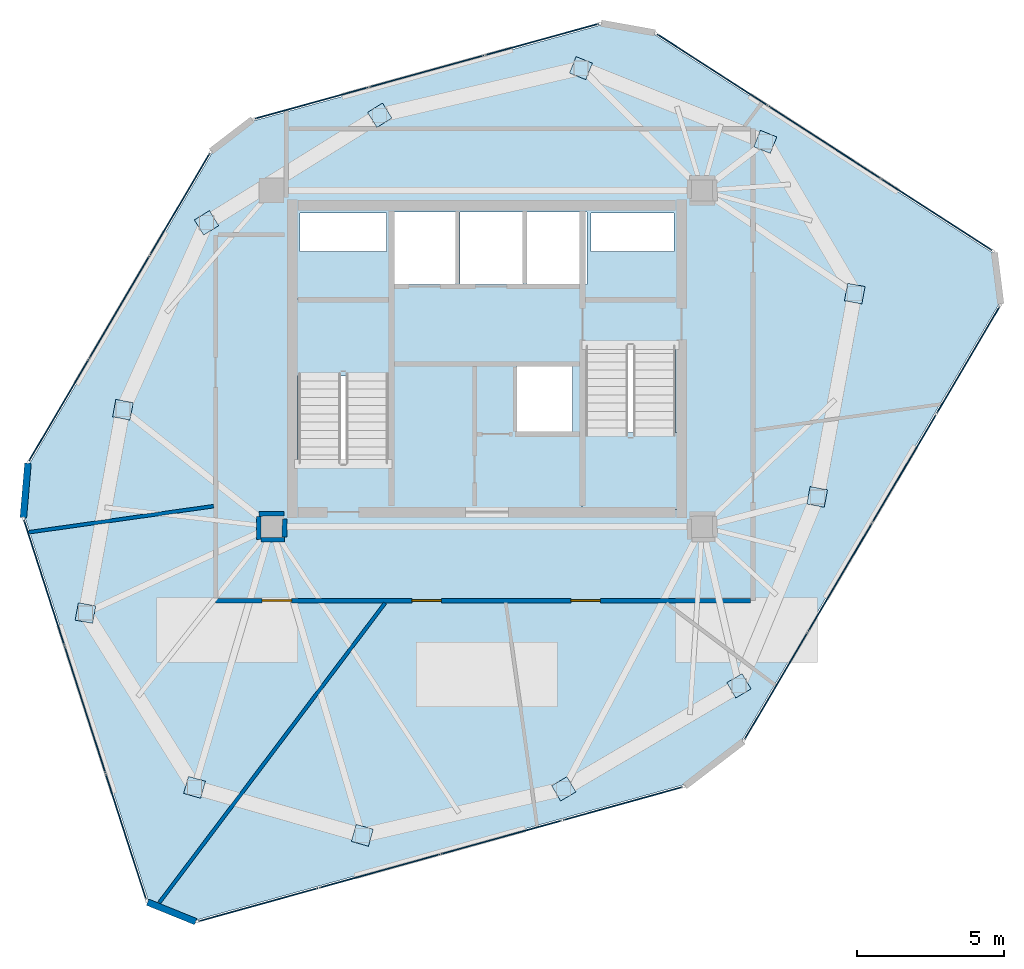
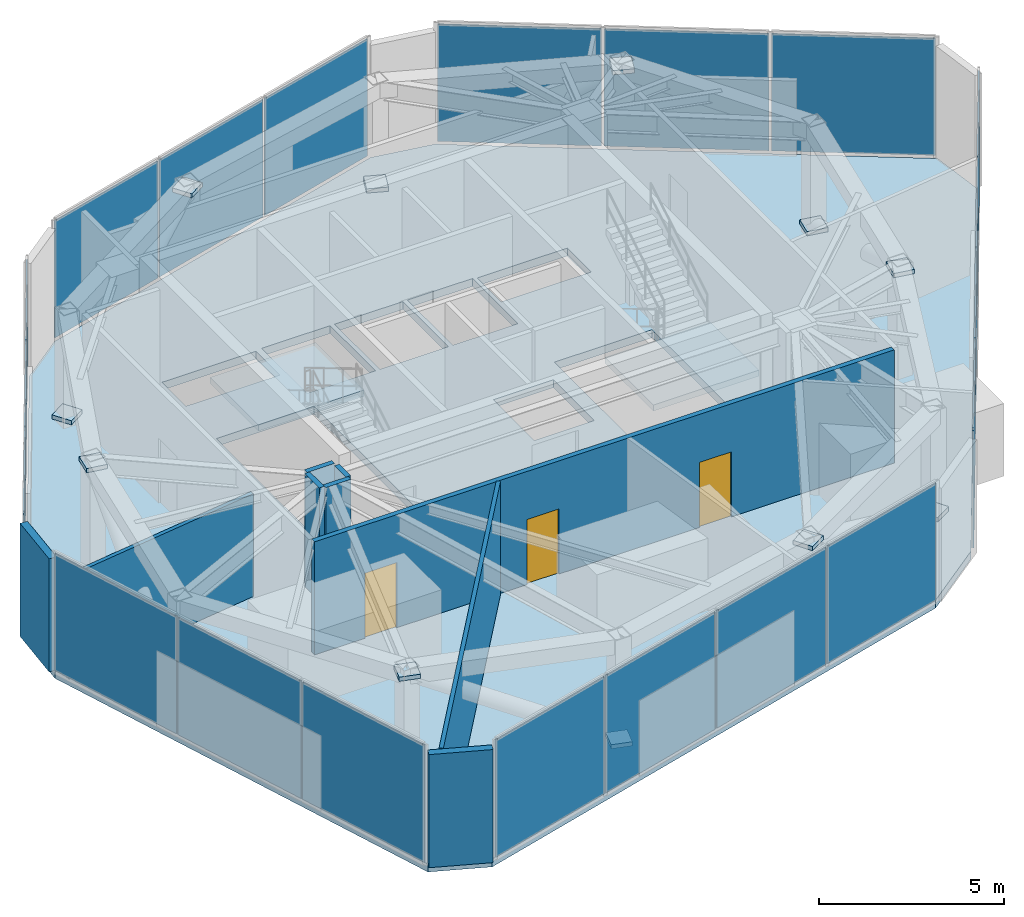
# One storey, part 15 of 19: 32 plates, 9 walls, 3 doors, 3 slabs, 3 openings, 8 elements without a shape of their own.
"""IFC4 building model written with IfcOpenShell, lengths in metres."""

import ifcopenshell
import ifcopenshell.guid

model = None  # the IFC model being written
_history = None  # IfcOwnerHistory: only IFC2X3 demands one
_inside = {}  # id of a spatial element -> (the spatial element, [elements in it])
_under = {}  # id of a project, library or spatial element -> (it, [spatial elements below it])
_declared = {}  # id of a project -> (the project, [libraries it declares])
_typed = {}  # id of a type object -> (the type object, [elements of that type])
_made_of = {}  # id of a material, layer set ... -> (it, [elements and type objects made of it])


def new_model(schema):
    """Start an empty IFC model of exactly this schema.

    Asked for "IFC4X3", IfcOpenShell would pick the latest addendum, in which some entities
    have other attributes; the version numbers below select the first issue.
    IFC2X3 requires an IfcOwnerHistory on every rooted entity: one is made here for all.
    """
    global model, _history
    if schema == "IFC4X3":
        model = ifcopenshell.file(schema_version=(4, 3, 0, 0))
    else:
        model = ifcopenshell.file(schema=schema)
    _inside.clear()
    _under.clear()
    _declared.clear()
    _typed.clear()
    _made_of.clear()
    _history = None
    if model.schema == "IFC2X3":
        org = make("IfcOrganization", Name="unknown")
        user = make(
            "IfcPersonAndOrganization",
            ThePerson=make("IfcPerson", FamilyName="unknown"),
            TheOrganization=org,
        )
        app = make(
            "IfcApplication",
            ApplicationDeveloper=org,
            Version="unknown",
            ApplicationFullName="unknown",
            ApplicationIdentifier="unknown",
        )
        _history = make(
            "IfcOwnerHistory",
            OwningUser=user,
            OwningApplication=app,
            ChangeAction="ADDED",
            CreationDate=0,
        )
    return model


def make(cls, **values):
    """One entity of the class cls with the attributes given. An attribute that is None is left unset."""
    return model.create_entity(
        cls, **{name: value for name, value in values.items() if value is not None}
    )


def rooted(cls, **values):
    """An entity with a GlobalId (a new one), such as an element, a storey or a relation."""
    return make(cls, GlobalId=ifcopenshell.guid.new(), OwnerHistory=_history, **values)


def si_unit(unit_type, name, prefix=None):
    """IfcSIUnit, for example si_unit("LENGTHUNIT", "METRE", prefix="MILLI")."""
    return make("IfcSIUnit", UnitType=unit_type, Prefix=prefix, Name=name)


def assignment(units):
    """IfcUnitAssignment: the units of a project."""
    return None if units is None else make("IfcUnitAssignment", Units=units)


def point(xyz):
    """IfcCartesianPoint."""
    return None if xyz is None else make("IfcCartesianPoint", Coordinates=xyz)


def direction(xyz):
    """IfcDirection."""
    return None if xyz is None else make("IfcDirection", DirectionRatios=xyz)


def frame(location, z_axis=None, x_axis=None):
    """IfcAxis2Placement3D, a coordinate frame: its origin and axes. An axis left out is left unset."""
    return make(
        "IfcAxis2Placement3D",
        Location=point(location),
        Axis=direction(z_axis),
        RefDirection=direction(x_axis),
    )


def frame_2d(location, x_axis=None):
    """IfcAxis2Placement2D, a coordinate frame in the plane: its origin and x axis."""
    return make(
        "IfcAxis2Placement2D", Location=point(location), RefDirection=direction(x_axis)
    )


def origin():
    """The frame at (0, 0, 0) with its axes left unset."""
    return frame((0.0, 0.0, 0.0))


def origin_2d():
    """The frame at (0, 0) in the plane with its x axis left unset."""
    return frame_2d((0.0, 0.0))


def place(relative_to, where):
    """IfcLocalPlacement: puts the frame where relative to a parent placement (None: the world)."""
    return make(
        "IfcLocalPlacement", PlacementRelTo=relative_to, RelativePlacement=where
    )


def context(
    kind, dimensions, precision=None, world=None, true_north=None, identifier=None
):
    """IfcGeometricRepresentationContext, for example the 3D "Model" context."""
    return make(
        "IfcGeometricRepresentationContext",
        ContextIdentifier=identifier,
        ContextType=kind,
        CoordinateSpaceDimension=dimensions,
        Precision=precision,
        WorldCoordinateSystem=world,
        TrueNorth=true_north,
    )


def subcontext(parent, identifier, kind, view, scale=None):
    """IfcGeometricRepresentationSubContext, for example "Body" below "Model"."""
    return make(
        "IfcGeometricRepresentationSubContext",
        ContextIdentifier=identifier,
        ContextType=kind,
        ParentContext=parent,
        TargetScale=scale,
        TargetView=view,
    )


def project(units=None, contexts=None):
    """IfcProject with its units and contexts."""
    return rooted(
        "IfcProject",
        Name="project",
        RepresentationContexts=contexts,
        UnitsInContext=assignment(units),
    )


def spatial(cls, under=None, at=None, **own):
    """A site, building, storey or space (cls), placed at a placement, below another one or the project."""
    s = rooted(cls, ObjectPlacement=at, **own)
    if under is not None:
        _under.setdefault(under.id(), (under, []))[1].append(s)
    return s


def polyline(points):
    """IfcPolyline through the points."""
    return make("IfcPolyline", Points=[point(p) for p in points])


def profile(cls, at=None, kind="AREA", **sizes):
    """A parametric profile (cls). Its sizes go by their IFC names, for example OverallWidth=200.0."""
    return make(cls, ProfileType=kind, Position=at, **sizes)


def rectangle(**sizes):
    """IfcRectangleProfileDef."""
    return profile("IfcRectangleProfileDef", **sizes)


def outline(outer, holes=None, kind="AREA"):
    """IfcArbitraryClosedProfileDef: a profile drawn as a closed curve; with holes, ...WithVoids."""
    if holes is None:
        return make("IfcArbitraryClosedProfileDef", ProfileType=kind, OuterCurve=outer)
    return make(
        "IfcArbitraryProfileDefWithVoids",
        ProfileType=kind,
        OuterCurve=outer,
        InnerCurves=holes,
    )


def extrude(swept, where, along, depth):
    """IfcExtrudedAreaSolid: the profile swept, set in the frame where, extruded along a direction by depth."""
    return make(
        "IfcExtrudedAreaSolid",
        SweptArea=swept,
        Position=where,
        ExtrudedDirection=direction(along),
        Depth=depth,
    )


def shape(context_of_items, identifier, shape_type, items):
    """IfcShapeRepresentation: the items that make up one representation, for example the "Body"."""
    return make(
        "IfcShapeRepresentation",
        ContextOfItems=context_of_items,
        RepresentationIdentifier=identifier,
        RepresentationType=shape_type,
        Items=items,
    )


def source(mapping_origin, context_of_items, identifier, shape_type, items):
    """IfcRepresentationMap: a shape defined once, which mapped items show again and again."""
    return make(
        "IfcRepresentationMap",
        MappingOrigin=mapping_origin,
        MappedRepresentation=shape(context_of_items, identifier, shape_type, items),
    )


def transform(
    local_origin,
    x_axis=None,
    y_axis=None,
    z_axis=None,
    scale=None,
    scale2=None,
    scale3=None,
    uniform=True,
):
    """IfcCartesianTransformationOperator3D, or its non-uniform kind. x_axis, y_axis, z_axis: its Axis1, 2, 3."""
    if uniform:
        return make(
            "IfcCartesianTransformationOperator3D",
            Axis1=direction(x_axis),
            Axis2=direction(y_axis),
            LocalOrigin=point(local_origin),
            Scale=scale,
            Axis3=direction(z_axis),
        )
    return make(
        "IfcCartesianTransformationOperator3DnonUniform",
        Axis1=direction(x_axis),
        Axis2=direction(y_axis),
        LocalOrigin=point(local_origin),
        Scale=scale,
        Axis3=direction(z_axis),
        Scale2=scale2,
        Scale3=scale3,
    )


def mapped(mapping_source, mapping_target):
    """IfcMappedItem: shows the shape of a source again, moved by a transform."""
    return make(
        "IfcMappedItem", MappingSource=mapping_source, MappingTarget=mapping_target
    )


def material(Name=None, Category=None):
    """IfcMaterial."""
    return make("IfcMaterial", Name=Name, Category=Category)


def layer(
    of_material, thickness, ventilated=None, Name=None, Category=None, Priority=None
):
    """IfcMaterialLayer: one layer of a wall or slab, of a material (None: an air gap)."""
    return make(
        "IfcMaterialLayer",
        Material=of_material,
        LayerThickness=thickness,
        IsVentilated=ventilated,
        Name=Name,
        Category=Category,
        Priority=Priority,
    )


def layer_set(layers, Name=None):
    """IfcMaterialLayerSet."""
    return make("IfcMaterialLayerSet", MaterialLayers=layers, LayerSetName=Name)


def made_of(thing, what):
    """Note that an element or type object is made of a material, layer set ...; save() writes the relation."""
    if what is not None:
        _made_of.setdefault(what.id(), (what, []))[1].append(thing)
    return thing


def type_object(cls, material=None, **own):
    """A type object (cls), such as IfcWallType, which elements share."""
    return made_of(rooted(cls, **own), material)


def type_shapes(of_type, sources):
    """Give a type object the sources (RepresentationMaps) that its elements show as mapped items."""
    of_type.RepresentationMaps = sources


def element(
    cls,
    number,
    at=None,
    inside=None,
    cuts=None,
    type_object=None,
    material=None,
    context=None,
    identifier="Body",
    shape_type=None,
    held_by="IfcProductDefinitionShape",
    body=None,
    shapes=None,
    **own,
):
    """One element of the class cls, such as IfcWall. Its Tag is "e" and its number.

    at: its placement. inside: the storey or other place that contains it. cuts: it is an
    opening in that element (IfcRelVoidsElement). A single representation is given by context,
    identifier, shape_type and body (its items); several are given by shapes. held_by: the class
    of the entity that holds the representations. save() writes the other relations.
    """
    e = rooted(cls, Tag="e%d" % number, ObjectPlacement=at, **own)
    if body is not None:
        shapes = [shape(context, identifier, shape_type, body)]
    if shapes is not None:
        e.Representation = make(held_by, Representations=shapes)
    if inside is not None:
        _inside.setdefault(inside.id(), (inside, []))[1].append(e)
    if cuts is not None:
        rooted(
            "IfcRelVoidsElement", RelatingBuildingElement=cuts, RelatedOpeningElement=e
        )
    if type_object is not None:
        _typed.setdefault(type_object.id(), (type_object, []))[1].append(e)
    return made_of(e, material)


def fill(opening, filler):
    """IfcRelFillsElement: the door or window that sits in an opening."""
    return rooted(
        "IfcRelFillsElement",
        RelatingOpeningElement=opening,
        RelatedBuildingElement=filler,
    )


def aggregate(whole, parts):
    """IfcRelAggregates: a whole, such as a stair, and the parts it consists of."""
    return rooted("IfcRelAggregates", RelatingObject=whole, RelatedObjects=parts)


def save(model, path):
    """Write the relations noted so far, then the file.

    IfcRelAggregates (storeys below a building ...), IfcRelContainedInSpatialStructure (elements
    in a storey), IfcRelDefinesByType, IfcRelAssociatesMaterial and IfcRelDeclares: one each for
    every whole, place, type object, material and project.
    """
    for whole, parts in _under.values():
        aggregate(whole, parts)
    for where, things in _inside.values():
        rooted(
            "IfcRelContainedInSpatialStructure",
            RelatedElements=things,
            RelatingStructure=where,
        )
    for kind, things in _typed.values():
        rooted("IfcRelDefinesByType", RelatedObjects=things, RelatingType=kind)
    for what, things in _made_of.values():
        rooted("IfcRelAssociatesMaterial", RelatedObjects=things, RelatingMaterial=what)
    for by, libraries in _declared.values():
        rooted("IfcRelDeclares", RelatingContext=by, RelatedDefinitions=libraries)
    model.write(path)


model = new_model("IFC4")

# Units and contexts
model_context = context("Model", 3, precision=1e-05, world=origin(), true_north=direction((0.0, 1.0)))
body_context = subcontext(model_context, "Body", "Model", "MODEL_VIEW")
ifc_project = project(units=[si_unit("LENGTHUNIT", "METRE"), si_unit("AREAUNIT", "SQUARE_METRE"), si_unit("VOLUMEUNIT", "CUBIC_METRE"), si_unit("PLANEANGLEUNIT", "RADIAN"), si_unit("MASSUNIT", "GRAM", prefix="KILO")], contexts=[model_context])

# Site, building, storey
site_placement = place(None, origin())
site = spatial("IfcSite", under=ifc_project, at=site_placement, CompositionType="ELEMENT")
building_placement = place(site_placement, origin())
building = spatial("IfcBuilding", under=site, at=building_placement, Name="Talar Marvaseh", CompositionType="ELEMENT")
storey_placement = place(building_placement, frame((0.0, 0.0, 296.0)))
storey = spatial("IfcBuildingStorey", under=building, at=storey_placement, Name="L79", CompositionType="ELEMENT", Elevation=296.0)

# Stair, slab
ifc_material_1 = material(Name="Concrete C40/50", Category="concrete")
stair_type = type_object("IfcStairType", Name="Reinforced Concrete High-Rise Exit Stair Type C", PredefinedType="HALF_TURN_STAIR", material=ifc_material_1)
stair_1_placement = place(storey_placement, origin())
stair_1 = element("IfcStair", 1, at=stair_1_placement, inside=storey, type_object=stair_type, Name="L79 Tower West Core Exit Stair", PredefinedType="HALF_TURN_STAIR")
ifc_layer_1 = layer(ifc_material_1, 0.199951171875)
ifc_layer_set_1 = layer_set([ifc_layer_1], Name="Concrete C40/50")
slab_type_1 = type_object("IfcSlabType", Name="Reinforced Concrete Stair Half-Landing Slab 200", PredefinedType="LANDING", material=ifc_layer_set_1)
slab_1_placement = place(storey_placement, frame((0.0, 0.0, 1.800048828125)))
slab_1 = element("IfcSlab", 2, at=slab_1_placement, type_object=slab_type_1, Name="ST-1 landing 1", PredefinedType="LANDING", context=body_context, shape_type="SweptSolid", body=[
    extrude(outline(polyline([(22.780029296875, 30.610107421875), (22.780029296875, 33.219970703125), (19.47998046875, 33.219970703125), (19.47998046875, 30.610107421875), (22.780029296875, 30.610107421875)])), origin(), (0.0, 0.0, 1.0), 0.199951171875),
])
aggregate(stair_1, [slab_1])

stair_2_placement = place(storey_placement, origin())
stair_2 = element("IfcStair", 3, at=stair_2_placement, inside=storey, type_object=stair_type, Name="L79 Tower East Core Exit Stair", PredefinedType="HALF_TURN_STAIR")
slab_2_placement = place(storey_placement, frame((0.0, 0.0, 1.800048828125)))
slab_2 = element("IfcSlab", 4, at=slab_2_placement, type_object=slab_type_1, Name="ST-2 landing 1", PredefinedType="LANDING", context=body_context, shape_type="SweptSolid", body=[
    extrude(outline(polyline([(29.219970703125, 28.68994140625), (29.219970703125, 26.080078125), (32.52001953125, 26.080078125), (32.52001953125, 28.68994140625), (29.219970703125, 28.68994140625)])), origin(), (0.0, 0.0, 1.0), 0.199951171875),
])
aggregate(stair_2, [slab_2])

# Slab
ifc_layer_2 = layer(ifc_material_1, 0.260009765625)
ifc_layer_set_2 = layer_set([ifc_layer_2], Name="Concrete C40/50")
slab_type_2 = type_object("IfcSlabType", Name="Structural Suspended Floor Slab 260", PredefinedType="FLOOR", material=ifc_layer_set_2)
slab_3_placement = place(storey_placement, frame((0.0, 0.0, -0.260009765625)))
element("IfcSlab", 5, at=slab_3_placement, inside=storey, type_object=slab_type_2, Name="L79 Tower Floor Slab", PredefinedType="FLOOR", context=body_context, shape_type="SweptSolid", body=[
    extrude(outline(polyline([(16.149169921875, 12.16796875), (14.52001953125, 12.82861328125), (10.34130859375, 25.807373046875), (10.499267578125, 27.656982421875), (16.681640625, 38.181396484375), (18.09423828125, 39.265380859375), (29.860107421875, 42.51318359375), (31.687744140625, 42.18701171875), (43.142578125, 34.79150390625), (43.359130859375, 33.047119140625), (34.655029296875, 18.275634765625), (32.669921875, 16.75244140625), (16.149169921875, 12.16796875)]), holes=[polyline([(22.659912109375, 27.64990234375), (22.659912109375, 33.10009765625), (19.60009765625, 33.10009765625), (19.60009765625, 27.64990234375), (22.659912109375, 27.64990234375)]), polyline([(29.340087890625, 31.64990234375), (29.340087890625, 26.199951171875), (32.39990234375, 26.199951171875), (32.39990234375, 31.64990234375), (29.340087890625, 31.64990234375)]), polyline([(22.800048828125, 33.719970703125), (24.93994140625, 33.719970703125), (24.93994140625, 36.179931640625), (22.800048828125, 36.179931640625), (22.800048828125, 33.719970703125)]), polyline([(25.080078125, 33.719970703125), (27.219970703125, 33.719970703125), (27.219970703125, 36.179931640625), (25.080078125, 36.179931640625), (25.080078125, 33.719970703125)]), polyline([(27.360107421875, 33.719970703125), (29.39990234375, 33.719970703125), (29.39990234375, 36.179931640625), (27.360107421875, 36.179931640625), (27.360107421875, 33.719970703125)]), polyline([(27.02001953125, 28.719970703125), (28.89990234375, 28.719970703125), (28.89990234375, 30.93994140625), (27.02001953125, 30.93994140625), (27.02001953125, 28.719970703125)]), polyline([(19.659912109375, 34.840087890625), (22.60009765625, 34.840087890625), (22.60009765625, 36.139892578125), (19.659912109375, 36.139892578125), (19.659912109375, 34.840087890625)]), polyline([(29.52001953125, 34.840087890625), (32.340087890625, 34.840087890625), (32.340087890625, 36.139892578125), (29.52001953125, 36.139892578125), (29.52001953125, 34.840087890625)])]), origin(), (0.0, 0.0, 1.0), 0.260009765625),
])

# Plates
ifc_material_2 = material(Name="Steel S460", Category="steel")
ifc_layer_3 = layer(ifc_material_2, 0.030029296875)
ifc_layer_set_3 = layer_set([ifc_layer_3], Name="Steel S460")
plate_type_1 = type_object("IfcPlateType", Name="Heavy Box End Closure Cap Plate 30", PredefinedType="USERDEFINED", material=ifc_layer_set_3)
shared_shape_1 = source(origin(), body_context, "Body", "SweptSolid", [
    extrude(rectangle(XDim=0.60009765625, YDim=0.60009765625, at=origin_2d()), origin(), (0.0, 0.0, 1.0), 0.139892578125),
])
type_shapes(plate_type_1, [shared_shape_1])
for number, where, z_axis, x_axis, name in (
    (6, (12.388916015625, 22.576904296875, 0.18017578125), (0.0, 0.0, 1.0), (0.180519145251, 0.983571470813, 0.0), "L79 Hollow Member End Cap Plate"),
    (7, (13.657958984375, 29.469970703125, 3.419921875), (0.0, 0.0, 1.0), (0.180519145251, 0.983571470813, 0.0), "L79 Hollow Member End Cap Plate"),
    (8, (16.493896484375, 35.806884765625, 0.18017578125), (0.0, 0.0, 1.0), (0.849892692987, 0.526955795497, 0.0), "L79 Hollow Member End Cap Plate"),
    (9, (22.364990234375, 39.4541015625, 3.419921875), (0.0, 0.0, 1.0), (0.849892692987, 0.526955795497, 0.0), "L79 Hollow Member End Cap Plate"),
    (10, (29.18798828125, 41.052001953125, 0.18017578125), (0.0, 0.0, 1.0), (0.928485826881, -0.37136783555, 0.0), "L79 Hollow Member End Cap Plate"),
    (11, (35.43798828125, 38.551025390625, 3.419921875), (0.0, 0.0, 1.0), (0.928485826881, -0.37136783555, 0.0), "L79 Hollow Member End Cap Plate"),
    (12, (38.470947265625, 33.406005859375, 0.18017578125), (0.0, 0.0, 1.0), (-0.182235525492, -0.983254907564, 0.0), "L79 Hollow Member End Cap Plate"),
    (13, (37.197021484375, 26.513916015625, 3.419921875), (0.0, 0.0, 1.0), (-0.182235525492, -0.983254907564, 0.0), "L79 Hollow Member End Cap Plate"),
    (14, (34.5439453125, 20.111083984375, 0.18017578125), (0.0, 0.0, 1.0), (-0.861629160442, -0.507538362961, 0.0), "L79 Hollow Member End Cap Plate"),
    (15, (28.60498046875, 16.616943359375, 3.419921875), (0.0, 0.0, 1.0), (-0.861629160442, -0.507538362961, 0.0), "L79 Hollow Member End Cap Plate"),
    (16, (21.77587890625, 15.0400390625, 0.18017578125), (0.0, 0.0, 1.0), (-0.961261695938, 0.275637355817, 0.0), "L79 Hollow Member End Cap Plate"),
    (17, (16.0869140625, 16.66796875, 3.419921875), (0.0, 0.0, 1.0), (-0.961261695938, 0.275637355817, 0.0), "L79 Hollow Member End Cap Plate"),
):
    element("IfcPlate", number, at=place(storey_placement, frame(where, z_axis=z_axis, x_axis=x_axis)), inside=storey, type_object=plate_type_1, Name=name, ObjectType="CAP_PLATE", PredefinedType="USERDEFINED", context=body_context, shape_type="MappedRepresentation", body=[
        mapped(shared_shape_1, transform((0.0, 0.0, 0.0), x_axis=(1.0, 0.0, 0.0), y_axis=(0.0, 1.0, 0.0), z_axis=(0.0, 0.0, 1.0), scale=1.0)),
    ])

# Curtain wall, plates
ifc_material_3 = material(Name="Architectural Aluminium", Category="aluminium")
ifc_layer_4 = layer(ifc_material_3, 0.2099609375)
ifc_layer_set_4 = layer_set([ifc_layer_4], Name="Architectural Aluminium")
curtain_wall_type = type_object("IfcCurtainWallType", Name="Crown Plant Acoustic Spandrel Curtain Wall", PredefinedType="NOTDEFINED", material=ifc_layer_set_4)
curtain_wall_1_placement = place(storey_placement, origin())
curtain_wall_1 = element("IfcCurtainWall", 18, at=curtain_wall_1_placement, inside=storey, type_object=curtain_wall_type, Name="L79 Crown Plant Acoustic Spandrel Curtain Wall", PredefinedType="NOTDEFINED")
ifc_material_4 = material(Name="Spandrel Insulated Glass", Category="glass")
ifc_layer_5 = layer(ifc_material_4, 0.035888671875)
ifc_layer_set_5 = layer_set([ifc_layer_5], Name="Spandrel Insulated Glass")
plate_type_2 = type_object("IfcPlateType", Name="Insulated Back-Painted Spandrel Curtain Panel 36", PredefinedType="CURTAIN_PANEL", material=ifc_layer_set_5)
shared_shape_2 = source(origin(), body_context, "Body", "SweptSolid", [
    extrude(rectangle(XDim=4.447509765625, YDim=0.035888671875, at=origin_2d()), origin(), (0.0, 0.0, 1.0), 3.8701171875),
])
plate_1_placement = place(storey_placement, frame((13.761474609375, 14.98876953125, 0.06494140625), z_axis=(0.0, 0.0, 1.0), x_axis=(-0.306468293294, 0.951880867129, 0.0)))
plate_1 = element("IfcPlate", 19, at=plate_1_placement, type_object=plate_type_2, Name="CW-CRN panel 1.1", PredefinedType="CURTAIN_PANEL", context=body_context, shape_type="MappedRepresentation", body=[
    mapped(shared_shape_2, transform((0.0, 0.0, 0.0), x_axis=(1.0, 0.0, 0.0), y_axis=(0.0, 1.0, 0.0), z_axis=(0.0, 0.0, 1.0), scale=1.0)),
])
plate_2_placement = place(storey_placement, frame((10.985595703125, 23.6103515625, 0.06494140625), z_axis=(0.0, 0.0, 1.0), x_axis=(-0.306468293294, 0.951880867129, 0.0)))
plate_2 = element("IfcPlate", 20, at=plate_2_placement, type_object=plate_type_2, Name="CW-CRN panel 3.1", PredefinedType="CURTAIN_PANEL", context=body_context, shape_type="MappedRepresentation", body=[
    mapped(shared_shape_2, transform((0.0, 0.0, 0.0), x_axis=(1.0, 0.0, 0.0), y_axis=(0.0, 1.0, 0.0), z_axis=(0.0, 0.0, 1.0), scale=1.0)),
])

curtain_wall_2_placement = place(storey_placement, origin())
curtain_wall_2 = element("IfcCurtainWall", 21, at=curtain_wall_2_placement, inside=storey, type_object=curtain_wall_type, Name="L79 Crown Plant Acoustic Spandrel Curtain Wall", PredefinedType="NOTDEFINED")
plate_3_placement = place(storey_placement, frame((33.64306640625, 40.995849609375, 0.06494140625), z_axis=(0.0, 0.0, 1.0), x_axis=(0.840128152199, -0.54238794961, 0.0)))
plate_3 = element("IfcPlate", 22, at=plate_3_placement, type_object=plate_type_2, Name="CW-CRN panel 1.1", PredefinedType="CURTAIN_PANEL", context=body_context, shape_type="MappedRepresentation", body=[
    mapped(shared_shape_2, transform((0.0, 0.0, 0.0), x_axis=(1.0, 0.0, 0.0), y_axis=(0.0, 1.0, 0.0), z_axis=(0.0, 0.0, 1.0), scale=1.0)),
])
plate_4_placement = place(storey_placement, frame((41.25244140625, 36.083251953125, 0.06494140625), z_axis=(0.0, 0.0, 1.0), x_axis=(0.840128152199, -0.54238794961, 0.0)))
plate_4 = element("IfcPlate", 23, at=plate_4_placement, type_object=plate_type_2, Name="CW-CRN panel 3.1", PredefinedType="CURTAIN_PANEL", context=body_context, shape_type="MappedRepresentation", body=[
    mapped(shared_shape_2, transform((0.0, 0.0, 0.0), x_axis=(1.0, 0.0, 0.0), y_axis=(0.0, 1.0, 0.0), z_axis=(0.0, 0.0, 1.0), scale=1.0)),
])

# Plate
shared_shape_3 = source(origin(), body_context, "Body", "SweptSolid", [
    extrude(rectangle(XDim=4.47998046875, YDim=0.035888671875, at=origin_2d()), origin(), (0.0, 0.0, 1.0), 3.8701171875),
])
plate_5_placement = place(storey_placement, frame((12.37353515625, 19.299560546875, 0.06494140625), z_axis=(0.0, 0.0, 1.0), x_axis=(-0.306468293294, 0.951880867129, 0.0)))
plate_5 = element("IfcPlate", 24, at=plate_5_placement, type_object=plate_type_2, Name="CW-CRN panel 2.1", PredefinedType="CURTAIN_PANEL", context=body_context, shape_type="MappedRepresentation", body=[
    mapped(shared_shape_3, transform((0.0, 0.0, 0.0), x_axis=(1.0, 0.0, 0.0), y_axis=(0.0, 1.0, 0.0), z_axis=(0.0, 0.0, 1.0), scale=1.0)),
])

aggregate(curtain_wall_1, [plate_1, plate_5, plate_2])

plate_6_placement = place(storey_placement, frame((37.44775390625, 38.53955078125, 0.06494140625), z_axis=(0.0, 0.0, 1.0), x_axis=(0.840128152199, -0.54238794961, 0.0)))
plate_6 = element("IfcPlate", 25, at=plate_6_placement, type_object=plate_type_2, Name="CW-CRN panel 2.1", PredefinedType="CURTAIN_PANEL", context=body_context, shape_type="MappedRepresentation", body=[
    mapped(shared_shape_3, transform((0.0, 0.0, 0.0), x_axis=(1.0, 0.0, 0.0), y_axis=(0.0, 1.0, 0.0), z_axis=(0.0, 0.0, 1.0), scale=1.0)),
])

aggregate(curtain_wall_2, [plate_3, plate_6, plate_4])

# Curtain wall, plates
curtain_wall_3_placement = place(storey_placement, origin())
curtain_wall_3 = element("IfcCurtainWall", 26, at=curtain_wall_3_placement, inside=storey, type_object=curtain_wall_type, Name="L79 Crown Plant Acoustic Spandrel Curtain Wall", PredefinedType="NOTDEFINED")
shared_shape_4 = source(origin(), body_context, "Body", "SweptSolid", [
    extrude(rectangle(XDim=3.97119140625, YDim=0.035888671875, at=origin_2d()), origin(), (0.0, 0.0, 1.0), 3.8701171875),
])
plate_7_placement = place(storey_placement, frame((11.486083984375, 29.45556640625, 0.06494140625), z_axis=(0.0, 0.0, 1.0), x_axis=(0.506516996713, 0.862229976306, 0.0)))
plate_7 = element("IfcPlate", 27, at=plate_7_placement, type_object=plate_type_2, Name="CW-CRN panel 1.1", PredefinedType="CURTAIN_PANEL", context=body_context, shape_type="MappedRepresentation", body=[
    mapped(shared_shape_4, transform((0.0, 0.0, 0.0), x_axis=(1.0, 0.0, 0.0), y_axis=(0.0, 1.0, 0.0), z_axis=(0.0, 0.0, 1.0), scale=1.0)),
])
plate_8_placement = place(storey_placement, frame((15.59130859375, 36.44384765625, 0.06494140625), z_axis=(0.0, 0.0, 1.0), x_axis=(0.506516996713, 0.862229976306, 0.0)))
plate_8 = element("IfcPlate", 28, at=plate_8_placement, type_object=plate_type_2, Name="CW-CRN panel 3.1", PredefinedType="CURTAIN_PANEL", context=body_context, shape_type="MappedRepresentation", body=[
    mapped(shared_shape_4, transform((0.0, 0.0, 0.0), x_axis=(1.0, 0.0, 0.0), y_axis=(0.0, 1.0, 0.0), z_axis=(0.0, 0.0, 1.0), scale=1.0)),
])

curtain_wall_4_placement = place(storey_placement, origin())
curtain_wall_4 = element("IfcCurtainWall", 29, at=curtain_wall_4_placement, inside=storey, type_object=curtain_wall_type, Name="L79 Crown Plant Acoustic Spandrel Curtain Wall", PredefinedType="NOTDEFINED")
plate_9_placement = place(storey_placement, frame((20.054931640625, 39.868896484375, 0.06494140625), z_axis=(0.0, 0.0, 1.0), x_axis=(0.963947775369, 0.266091499978, 0.0)))
plate_9 = element("IfcPlate", 30, at=plate_9_placement, type_object=plate_type_2, Name="CW-CRN panel 1.1", PredefinedType="CURTAIN_PANEL", context=body_context, shape_type="MappedRepresentation", body=[
    mapped(shared_shape_4, transform((0.0, 0.0, 0.0), x_axis=(1.0, 0.0, 0.0), y_axis=(0.0, 1.0, 0.0), z_axis=(0.0, 0.0, 1.0), scale=1.0)),
])
plate_10_placement = place(storey_placement, frame((27.867431640625, 42.025390625, 0.06494140625), z_axis=(0.0, 0.0, 1.0), x_axis=(0.963947775369, 0.266091499978, 0.0)))
plate_10 = element("IfcPlate", 31, at=plate_10_placement, type_object=plate_type_2, Name="CW-CRN panel 3.1", PredefinedType="CURTAIN_PANEL", context=body_context, shape_type="MappedRepresentation", body=[
    mapped(shared_shape_4, transform((0.0, 0.0, 0.0), x_axis=(1.0, 0.0, 0.0), y_axis=(0.0, 1.0, 0.0), z_axis=(0.0, 0.0, 1.0), scale=1.0)),
])

# Plate
shared_shape_5 = source(origin(), body_context, "Body", "SweptSolid", [
    extrude(rectangle(XDim=4.003662109375, YDim=0.035888671875, at=origin_2d()), origin(), (0.0, 0.0, 1.0), 3.8701171875),
])
plate_11_placement = place(storey_placement, frame((13.538818359375, 32.94970703125, 0.06494140625), z_axis=(0.0, 0.0, 1.0), x_axis=(0.506516996713, 0.862229976306, 0.0)))
plate_11 = element("IfcPlate", 32, at=plate_11_placement, type_object=plate_type_2, Name="CW-CRN panel 2.1", PredefinedType="CURTAIN_PANEL", context=body_context, shape_type="MappedRepresentation", body=[
    mapped(shared_shape_5, transform((0.0, 0.0, 0.0), x_axis=(1.0, 0.0, 0.0), y_axis=(0.0, 1.0, 0.0), z_axis=(0.0, 0.0, 1.0), scale=1.0)),
])

aggregate(curtain_wall_3, [plate_7, plate_11, plate_8])

plate_12_placement = place(storey_placement, frame((23.961181640625, 40.947265625, 0.06494140625), z_axis=(0.0, 0.0, 1.0), x_axis=(0.963947775369, 0.266091499978, 0.0)))
plate_12 = element("IfcPlate", 33, at=plate_12_placement, type_object=plate_type_2, Name="CW-CRN panel 2.1", PredefinedType="CURTAIN_PANEL", context=body_context, shape_type="MappedRepresentation", body=[
    mapped(shared_shape_5, transform((0.0, 0.0, 0.0), x_axis=(1.0, 0.0, 0.0), y_axis=(0.0, 1.0, 0.0), z_axis=(0.0, 0.0, 1.0), scale=1.0)),
])

aggregate(curtain_wall_4, [plate_9, plate_12, plate_10])

# Curtain wall, plates
curtain_wall_5_placement = place(storey_placement, origin())
curtain_wall_5 = element("IfcCurtainWall", 34, at=curtain_wall_5_placement, inside=storey, type_object=curtain_wall_type, Name="L79 Crown Plant Acoustic Spandrel Curtain Wall", PredefinedType="NOTDEFINED")
shared_shape_6 = source(origin(), body_context, "Body", "SweptSolid", [
    extrude(rectangle(XDim=4.188720703125, YDim=0.035888671875, at=origin_2d()), origin(), (0.0, 0.0, 1.0), 3.8701171875),
])
plate_13_placement = place(storey_placement, frame((42.314697265625, 31.15625, 0.06494140625), z_axis=(0.0, 0.0, 1.0), x_axis=(-0.507671743815, -0.861550579207, 0.0)))
plate_13 = element("IfcPlate", 35, at=plate_13_placement, type_object=plate_type_2, Name="CW-CRN panel 1.1", PredefinedType="CURTAIN_PANEL", context=body_context, shape_type="MappedRepresentation", body=[
    mapped(shared_shape_6, transform((0.0, 0.0, 0.0), x_axis=(1.0, 0.0, 0.0), y_axis=(0.0, 1.0, 0.0), z_axis=(0.0, 0.0, 1.0), scale=1.0)),
])
plate_14_placement = place(storey_placement, frame((35.802978515625, 20.105712890625, 0.06494140625), z_axis=(0.0, 0.0, 1.0), x_axis=(-0.507671743815, -0.861550579207, 0.0)))
plate_14 = element("IfcPlate", 36, at=plate_14_placement, type_object=plate_type_2, Name="CW-CRN panel 4.1", PredefinedType="CURTAIN_PANEL", context=body_context, shape_type="MappedRepresentation", body=[
    mapped(shared_shape_6, transform((0.0, 0.0, 0.0), x_axis=(1.0, 0.0, 0.0), y_axis=(0.0, 1.0, 0.0), z_axis=(0.0, 0.0, 1.0), scale=1.0)),
])

curtain_wall_6_placement = place(storey_placement, origin())
curtain_wall_6 = element("IfcCurtainWall", 37, at=curtain_wall_6_placement, inside=storey, type_object=curtain_wall_type, Name="L79 Crown Plant Acoustic Spandrel Curtain Wall", PredefinedType="NOTDEFINED")
plate_15_placement = place(storey_placement, frame((30.60498046875, 16.1171875, 0.06494140625), z_axis=(0.0, 0.0, 1.0), x_axis=(-0.963588318835, -0.267390261237, 0.0)))
plate_15 = element("IfcPlate", 38, at=plate_15_placement, type_object=plate_type_2, Name="CW-CRN panel 1.1", PredefinedType="CURTAIN_PANEL", context=body_context, shape_type="MappedRepresentation", body=[
    mapped(shared_shape_6, transform((0.0, 0.0, 0.0), x_axis=(1.0, 0.0, 0.0), y_axis=(0.0, 1.0, 0.0), z_axis=(0.0, 0.0, 1.0), scale=1.0)),
])
plate_16_placement = place(storey_placement, frame((18.245849609375, 12.6875, 0.06494140625), z_axis=(0.0, 0.0, 1.0), x_axis=(-0.963588318835, -0.267390261237, 0.0)))
plate_16 = element("IfcPlate", 39, at=plate_16_placement, type_object=plate_type_2, Name="CW-CRN panel 4.1", PredefinedType="CURTAIN_PANEL", context=body_context, shape_type="MappedRepresentation", body=[
    mapped(shared_shape_6, transform((0.0, 0.0, 0.0), x_axis=(1.0, 0.0, 0.0), y_axis=(0.0, 1.0, 0.0), z_axis=(0.0, 0.0, 1.0), scale=1.0)),
])

# Plate
shared_shape_7 = source(origin(), body_context, "Body", "SweptSolid", [
    extrude(rectangle(XDim=4.22119140625, YDim=0.035888671875, at=origin_2d()), origin(), (0.0, 0.0, 1.0), 3.8701171875),
])
type_shapes(plate_type_2, [shared_shape_2, shared_shape_3, shared_shape_4, shared_shape_5, shared_shape_6, shared_shape_7])
plate_17_placement = place(storey_placement, frame((40.14697265625, 27.477294921875, 0.06494140625), z_axis=(0.0, 0.0, 1.0), x_axis=(-0.507671743815, -0.861550579207, 0.0)))
plate_17 = element("IfcPlate", 40, at=plate_17_placement, type_object=plate_type_2, Name="CW-CRN panel 2.1", PredefinedType="CURTAIN_PANEL", context=body_context, shape_type="MappedRepresentation", body=[
    mapped(shared_shape_7, transform((0.0, 0.0, 0.0), x_axis=(1.0, 0.0, 0.0), y_axis=(0.0, 1.0, 0.0), z_axis=(0.0, 0.0, 1.0), scale=1.0)),
])

plate_18_placement = place(storey_placement, frame((37.970947265625, 23.784423828125, 0.06494140625), z_axis=(0.0, 0.0, 1.0), x_axis=(-0.507671743815, -0.861550579207, 0.0)))
plate_18 = element("IfcPlate", 41, at=plate_18_placement, type_object=plate_type_2, Name="CW-CRN panel 3.1", PredefinedType="CURTAIN_PANEL", context=body_context, shape_type="MappedRepresentation", body=[
    mapped(shared_shape_7, transform((0.0, 0.0, 0.0), x_axis=(1.0, 0.0, 0.0), y_axis=(0.0, 1.0, 0.0), z_axis=(0.0, 0.0, 1.0), scale=1.0)),
])

aggregate(curtain_wall_5, [plate_13, plate_17, plate_18, plate_14])

plate_19_placement = place(storey_placement, frame((26.490478515625, 14.975341796875, 0.06494140625), z_axis=(0.0, 0.0, 1.0), x_axis=(-0.963588318835, -0.267390261237, 0.0)))
plate_19 = element("IfcPlate", 42, at=plate_19_placement, type_object=plate_type_2, Name="CW-CRN panel 2.1", PredefinedType="CURTAIN_PANEL", context=body_context, shape_type="MappedRepresentation", body=[
    mapped(shared_shape_7, transform((0.0, 0.0, 0.0), x_axis=(1.0, 0.0, 0.0), y_axis=(0.0, 1.0, 0.0), z_axis=(0.0, 0.0, 1.0), scale=1.0)),
])

plate_20_placement = place(storey_placement, frame((22.3603515625, 13.829345703125, 0.06494140625), z_axis=(0.0, 0.0, 1.0), x_axis=(-0.963588318835, -0.267390261237, 0.0)))
plate_20 = element("IfcPlate", 43, at=plate_20_placement, type_object=plate_type_2, Name="CW-CRN panel 3.1", PredefinedType="CURTAIN_PANEL", context=body_context, shape_type="MappedRepresentation", body=[
    mapped(shared_shape_7, transform((0.0, 0.0, 0.0), x_axis=(1.0, 0.0, 0.0), y_axis=(0.0, 1.0, 0.0), z_axis=(0.0, 0.0, 1.0), scale=1.0)),
])

aggregate(curtain_wall_6, [plate_15, plate_19, plate_20, plate_16])

# Walls
ifc_material_5 = material(Name="Precast concrete C45/55", Category="concrete")
ifc_layer_6 = layer(ifc_material_5, 0.22509765625)
ifc_layer_set_6 = layer_set([ifc_layer_6], Name="Precast concrete C45/55")
wall_type_1 = type_object("IfcWallType", Name="Chamfered Hexagonal Corner Pier Wall Z4 225", PredefinedType="SOLIDWALL", material=ifc_layer_set_6)
wall_1_placement = place(storey_placement, frame((16.126708984375, 12.1123046875, 0.0), z_axis=(0.0, 0.0, 1.0), x_axis=(-0.926655611786, 0.37591139534, 0.0)))
element("IfcWall", 44, at=wall_1_placement, inside=storey, type_object=wall_type_1, Name="L79 Chamfered Corner Limestone Pier 1", PredefinedType="SOLIDWALL", context=body_context, shape_type="SweptSolid", body=[
    extrude(rectangle(XDim=1.758056640625, YDim=0.22509765625, at=frame_2d((0.87890625, 0.0))), origin(), (0.0, 0.0, 1.0), 3.739990234375),
])
wall_2_placement = place(storey_placement, frame((10.281494140625, 25.8125, 0.0), z_axis=(0.0, 0.0, 1.0), x_axis=(0.085091528619, 0.996373138818, 0.0)))
element("IfcWall", 45, at=wall_2_placement, inside=storey, type_object=wall_type_1, Name="L79 Chamfered Corner Limestone Pier 2", PredefinedType="SOLIDWALL", context=body_context, shape_type="SweptSolid", body=[
    extrude(rectangle(XDim=1.8564453125, YDim=0.22509765625, at=frame_2d((0.92822265625, 0.0))), origin(), (0.0, 0.0, 1.0), 3.739990234375),
])

# Wall, openings, doors
ifc_material_6 = material(Name="Gypsum Board Partition Assembly")
ifc_layer_7 = layer(ifc_material_6, 0.155029296875)
ifc_layer_set_7 = layer_set([ifc_layer_7], Name="Gypsum Board Partition Assembly")
wall_type_2 = type_object("IfcWallType", Name="Corridor Fire-Rated Acoustic Partition 155", PredefinedType="PARTITIONING", material=ifc_layer_set_7)
wall_3_placement = place(storey_placement, frame((34.9365234375, 23.0, 0.0), z_axis=(0.0, 0.0, 1.0), x_axis=(-1.0, 0.0, 0.0)))
wall_3 = element("IfcWall", 46, at=wall_3_placement, inside=storey, type_object=wall_type_2, Name="L79 Interior Partition Wall", PredefinedType="PARTITIONING", context=body_context, shape_type="SweptSolid", body=[
    extrude(rectangle(XDim=18.136474609375, YDim=0.155029296875, at=frame_2d((9.068359375, 0.0))), origin(), (0.0, 0.0, 1.0), 3.739990234375),
])
opening_1_placement = place(wall_3_placement, frame((15.554443359375, 0.0, 0.0)))
opening_1 = element("IfcOpeningElement", 47, at=opening_1_placement, cuts=wall_3, Name="Opening DR-RM100", PredefinedType="OPENING", context=body_context, shape_type="SweptSolid", body=[
    extrude(rectangle(XDim=1.0, YDim=2.14990234375, at=frame_2d((0.5, 1.074951171875))), frame((0.0, 0.08740234375, 0.0), z_axis=(0.0, -1.0, 0.0), x_axis=(1.0, 0.0, 0.0)), (0.0, 0.0, 1.0), 0.175048828125),
])
opening_2_placement = place(wall_3_placement, frame((10.48388671875, 0.0, 0.0)))
opening_2 = element("IfcOpeningElement", 48, at=opening_2_placement, cuts=wall_3, Name="Opening DR-RM100", PredefinedType="OPENING", context=body_context, shape_type="SweptSolid", body=[
    extrude(rectangle(XDim=1.0, YDim=2.14990234375, at=frame_2d((0.5, 1.074951171875))), frame((0.0, 0.08740234375, 0.0), z_axis=(0.0, -1.0, 0.0), x_axis=(1.0, 0.0, 0.0)), (0.0, 0.0, 1.0), 0.175048828125),
])
opening_3_placement = place(wall_3_placement, frame((5.087890625, 0.0, 0.0)))
opening_3 = element("IfcOpeningElement", 49, at=opening_3_placement, cuts=wall_3, Name="Opening DR-RM100", PredefinedType="OPENING", context=body_context, shape_type="SweptSolid", body=[
    extrude(rectangle(XDim=1.0, YDim=2.14990234375, at=frame_2d((0.5, 1.074951171875))), frame((0.0, 0.08740234375, 0.0), z_axis=(0.0, -1.0, 0.0), x_axis=(1.0, 0.0, 0.0)), (0.0, 0.0, 1.0), 0.175048828125),
])
ifc_material_7 = material(Name="Acoustic Engineered Oak Timber", Category="wood")
door_type = type_object("IfcDoorType", Name="Corridor Fire-Rated Gallery Door 1000x2150", OperationType="NOTDEFINED", PredefinedType="DOOR", material=ifc_material_7)
shared_shape_8 = source(origin(), body_context, "Body", "SweptSolid", [
    extrude(rectangle(XDim=1.0, YDim=2.14990234375, at=frame_2d((0.5, 1.074951171875))), frame((0.0, 0.02490234375, 0.0), z_axis=(0.0, -1.0, 0.0), x_axis=(1.0, 0.0, 0.0)), (0.0, 0.0, 1.0), 0.050048828125),
])
type_shapes(door_type, [shared_shape_8])
door_1_placement = place(opening_1_placement, origin())
door_1 = element("IfcDoor", 50, at=door_1_placement, inside=storey, type_object=door_type, Name="L79 Chiller and Cooling Plant Room Door", OperationType="SINGLE_SWING_RIGHT", OverallHeight=2.14990234375, OverallWidth=1.0, PredefinedType="DOOR", context=body_context, shape_type="MappedRepresentation", body=[
    mapped(shared_shape_8, transform((0.0, 0.0, 0.0), x_axis=(1.0, 0.0, 0.0), y_axis=(0.0, 1.0, 0.0), z_axis=(0.0, 0.0, 1.0), scale=1.0)),
])
fill(opening_1, door_1)
door_2_placement = place(opening_2_placement, origin())
door_2 = element("IfcDoor", 51, at=door_2_placement, inside=storey, type_object=door_type, Name="L79 AHU Ventilation Plant Room Door", OperationType="SINGLE_SWING_LEFT", OverallHeight=2.14990234375, OverallWidth=1.0, PredefinedType="DOOR", context=body_context, shape_type="MappedRepresentation", body=[
    mapped(shared_shape_8, transform((0.0, 0.0, 0.0), x_axis=(1.0, 0.0, 0.0), y_axis=(0.0, 1.0, 0.0), z_axis=(0.0, 0.0, 1.0), scale=1.0)),
])
fill(opening_2, door_2)
door_3_placement = place(opening_3_placement, origin())
door_3 = element("IfcDoor", 52, at=door_3_placement, inside=storey, type_object=door_type, Name="L79 Fire and Domestic Water Pump Plant Room Door", OperationType="SINGLE_SWING_RIGHT", OverallHeight=2.14990234375, OverallWidth=1.0, PredefinedType="DOOR", context=body_context, shape_type="MappedRepresentation", body=[
    mapped(shared_shape_8, transform((0.0, 0.0, 0.0), x_axis=(1.0, 0.0, 0.0), y_axis=(0.0, 1.0, 0.0), z_axis=(0.0, 0.0, 1.0), scale=1.0)),
])
fill(opening_3, door_3)

# Walls
wall_4_placement = place(storey_placement, frame((19.125, 25.93994140625, 0.0), z_axis=(0.0, 0.0, 1.0), x_axis=(-0.999986962681, -0.005106316405, 0.0)))
element("IfcWall", 53, at=wall_4_placement, inside=storey, type_object=wall_type_2, Name="L79 Interior Partition Wall", PredefinedType="PARTITIONING", context=body_context, shape_type="SweptSolid", body=[
    extrude(rectangle(XDim=0.860595703125, YDim=0.155029296875, at=frame_2d((0.43017578125, 0.0))), origin(), (0.0, 0.0, 1.0), 3.739990234375),
])
for number, where, z_axis, x_axis, name in (
    (54, (18.264404296875, 25.85205078125, 0.0), (0.0, 0.0, 1.0), (0.0, -1.0, 0.0), "L79 Interior Partition Wall"),
    (55, (18.347900390625, 25.064453125, 0.0), (0.0, 0.0, 1.0), (1.0, 0.0, 0.0), "L79 Interior Partition Wall"),
):
    element("IfcWall", number, at=place(storey_placement, frame(where, z_axis=z_axis, x_axis=x_axis)), inside=storey, type_object=wall_type_2, Name=name, PredefinedType="PARTITIONING", context=body_context, shape_type="SweptSolid", body=[
        extrude(rectangle(XDim=0.78759765625, YDim=0.155029296875, at=frame_2d((0.393798828125, 0.0))), origin(), (0.0, 0.0, 1.0), 3.739990234375),
    ])
wall_5_placement = place(storey_placement, frame((19.135986328125, 25.14794921875, 0.0), z_axis=(0.0, 0.0, 1.0), x_axis=(0.005140303777, 0.999986788551, 0.0)))
element("IfcWall", 56, at=wall_5_placement, inside=storey, type_object=wall_type_2, Name="L79 Interior Partition Wall", PredefinedType="PARTITIONING", context=body_context, shape_type="SweptSolid", body=[
    extrude(rectangle(XDim=0.617431640625, YDim=0.155029296875, at=frame_2d((0.30859375, 0.0))), origin(), (0.0, 0.0, 1.0), 3.739990234375),
])
ifc_layer_8 = layer(ifc_material_6, 0.1201171875)
ifc_layer_set_8 = layer_set([ifc_layer_8], Name="Gypsum Board Partition Assembly")
wall_type_3 = type_object("IfcWallType", Name="Demountable Studio Room Partition 120", PredefinedType="PARTITIONING", material=ifc_layer_set_8)
wall_6_placement = place(storey_placement, frame((22.547119140625, 22.91650390625, 0.0), z_axis=(0.0, 0.0, 1.0), x_axis=(-0.601876520898, -0.798589164459, 0.0)))
element("IfcWall", 57, at=wall_6_placement, inside=storey, type_object=wall_type_3, Name="L79 Interior Partition Wall", PredefinedType="PARTITIONING", context=body_context, shape_type="SweptSolid", body=[
    extrude(rectangle(XDim=12.707763671875, YDim=0.1201171875, at=frame_2d((6.35400390625, 0.0))), origin(), (0.0, 0.0, 1.0), 3.739990234375),
])
wall_7_placement = place(storey_placement, frame((10.462890625, 25.31494140625, 0.0), z_axis=(0.0, 0.0, 1.0), x_axis=(0.990171780916, 0.139856513173, 0.0)))
element("IfcWall", 58, at=wall_7_placement, inside=storey, type_object=wall_type_3, Name="L79 Interior Partition Wall", PredefinedType="PARTITIONING", context=body_context, shape_type="SweptSolid", body=[
    extrude(rectangle(XDim=6.3349609375, YDim=0.1201171875, at=frame_2d((3.16748046875, 0.0))), origin(), (0.0, 0.0, 1.0), 3.402099609375),
])

save(model, "model.ifc")
